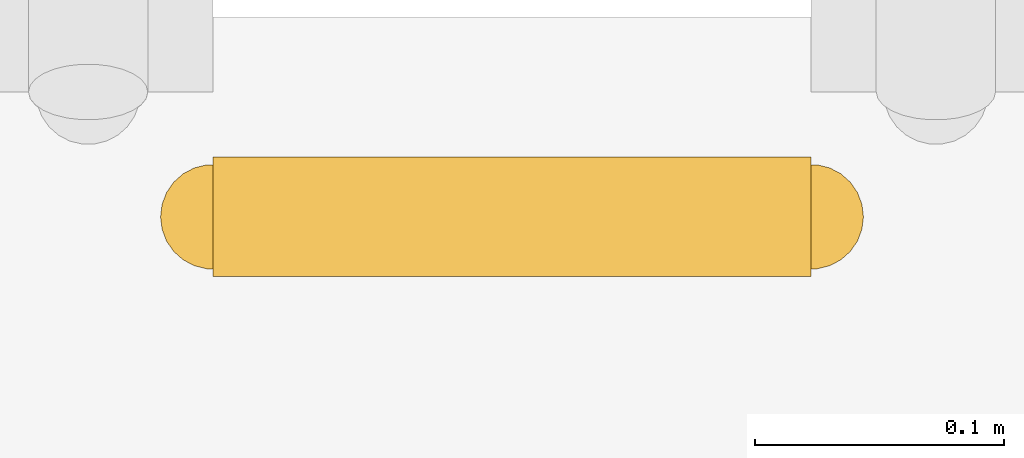
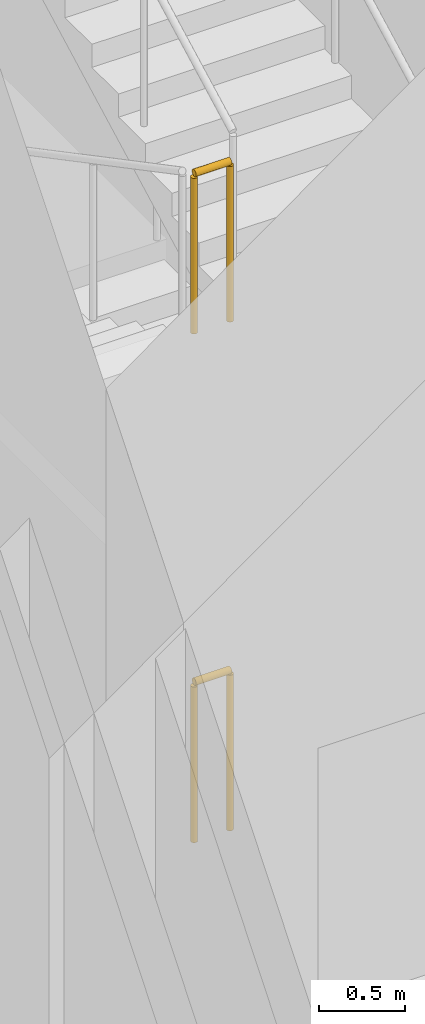
# One storey, part 7 of 10: 2 railings.
"""IFC4 building model written with IfcOpenShell, lengths in metres."""

from ifc_helpers import new_model, si_unit, direction, frame, origin, origin_2d, place, context, subcontext, project, spatial, circle, extrude, material, type_object, element, save


model = new_model("IFC4")

# Units and contexts
model_context = context("Model", 3, precision=1e-05, world=origin(), true_north=direction((0.0, 1.0)))
body_context = subcontext(model_context, "Body", "Model", "MODEL_VIEW")
ifc_project = project(units=[si_unit("LENGTHUNIT", "METRE"), si_unit("AREAUNIT", "SQUARE_METRE"), si_unit("VOLUMEUNIT", "CUBIC_METRE"), si_unit("PLANEANGLEUNIT", "RADIAN"), si_unit("MASSUNIT", "GRAM", prefix="KILO")], contexts=[model_context])

# Site, building, storey
site_placement = place(None, origin())
site = spatial("IfcSite", under=ifc_project, at=site_placement, CompositionType="ELEMENT")
building_placement = place(site_placement, origin())
building = spatial("IfcBuilding", under=site, at=building_placement, Name="Khoralis Quay Care Tower", CompositionType="ELEMENT")
storey_placement = place(building_placement, frame((0.0, 0.0, 76.5)))
storey = spatial("IfcBuildingStorey", under=building, at=storey_placement, Name="L20", CompositionType="ELEMENT", Elevation=76.5)

# Railings
ifc_material = material(Name="Brushed stainless steel", Category="steel")
railing_type = type_object("IfcRailingType", Name="RL-GUARD-1150", PredefinedType="GUARDRAIL", material=ifc_material)
for number, where, name in (
    (1, (9.77001953125, 16.719970703125, 3.60009765625), "L20 ST-T1 stair guard 4"),
    (2, (9.77001953125, 16.719970703125, 0.0), "L20 ST-T1 stair guard 8"),
):
    element("IfcRailing", number, at=place(storey_placement, frame(where)), inside=storey, type_object=railing_type, Name=name, PredefinedType="GUARDRAIL", context=body_context, shape_type="SweptSolid", body=[
        extrude(circle(Radius=0.02392578125, at=origin_2d()), frame((0.0, 0.0, 1.1259765625), z_axis=(-1.0, 0.0, 0.0), x_axis=(0.0, -1.0, 0.0)), (0.0, 0.0, 1.0), 0.239990234375),
        extrude(circle(Radius=0.02099609375, at=origin_2d()), origin(), (0.0, 0.0, 1.0), 1.101806640625),
        extrude(circle(Radius=0.02099609375, at=origin_2d()), frame((-0.239990234375, 0.0, 0.0)), (0.0, 0.0, 1.0), 1.101806640625),
    ])

save(model, "model.ifc")
